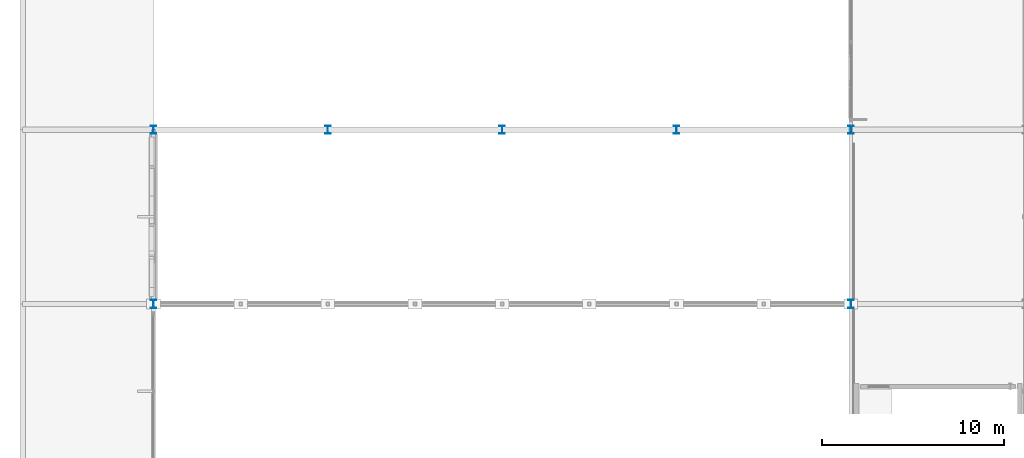
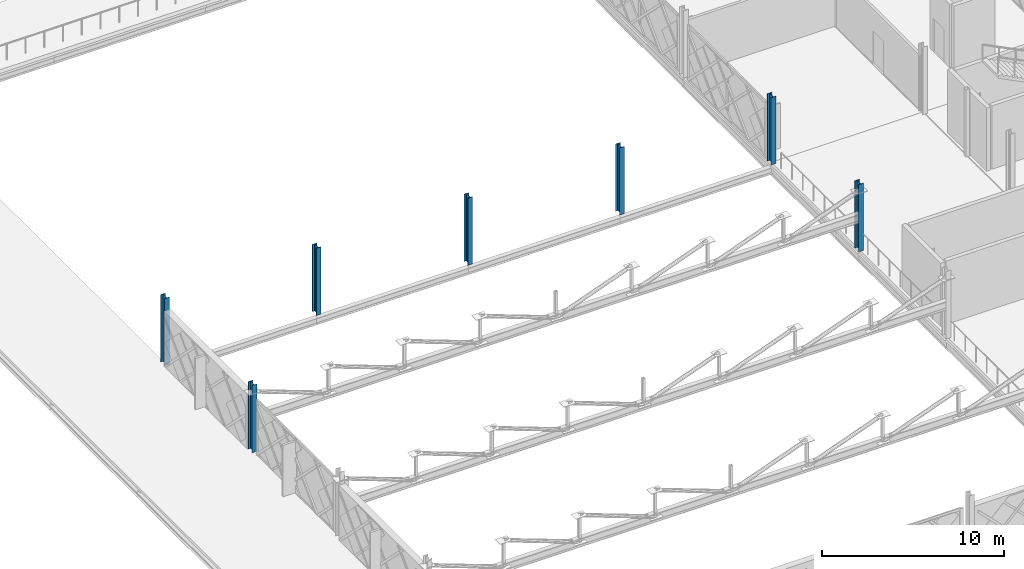
# One storey, part 3 of 101: 7 columns.
"""IFC4 building model written with IfcOpenShell, lengths in metres."""

from ifc_helpers import new_model, si_unit, direction, frame, origin, origin_2d, place, context, subcontext, project, spatial, i_section, extrude, material, material_profile, profile_set, type_object, element, save


model = new_model("IFC4")

# Units and contexts
model_context = context("Model", 3, precision=1e-05, world=origin(), true_north=direction((0.0, 1.0)))
body_context = subcontext(model_context, "Body", "Model", "MODEL_VIEW")
ifc_project = project(units=[si_unit("LENGTHUNIT", "METRE"), si_unit("AREAUNIT", "SQUARE_METRE"), si_unit("VOLUMEUNIT", "CUBIC_METRE"), si_unit("PLANEANGLEUNIT", "RADIAN"), si_unit("MASSUNIT", "GRAM", prefix="KILO")], contexts=[model_context])

# Site, building, storey
site_placement = place(None, origin())
site = spatial("IfcSite", under=ifc_project, at=site_placement, CompositionType="ELEMENT")
building_placement = place(site_placement, origin())
building = spatial("IfcBuilding", under=site, at=building_placement, Name="Zevrakil Square Congress Hotel", CompositionType="ELEMENT")
storey_placement = place(building_placement, frame((0.0, 0.0, 5.39990234375)))
storey = spatial("IfcBuildingStorey", under=building, at=storey_placement, Name="L02", CompositionType="ELEMENT", Elevation=5.39990234375)

# Columns
ifc_material = material(Name="Steel S355", Category="steel")
ifc_material_profile = material_profile(ifc_material, i_section(OverallWidth=0.300048828125, OverallDepth=0.449951171875, WebThickness=0.013916015625, FlangeThickness=0.02587890625, FilletRadius=0.027099609375, at=origin_2d()), Name="HEB 450")
ifc_profile_set = profile_set([ifc_material_profile], Name="Steel S355")
column_type = type_object("IfcColumnType", Name="COL-HEB450", PredefinedType="COLUMN", material=ifc_profile_set)
for number, where, z_axis, x_axis, name in (
    (1, (7.199951171875, 36.0, 0.0), (0.0, 0.0, 1.0), (1.0, 0.0, 0.0), "L02 column C-018"),
    (2, (7.199951171875, 45.60009765625, 0.0), (0.0, 0.0, 1.0), (1.0, 0.0, 0.0), "L02 column C-019"),
    (3, (16.800048828125, 45.60009765625, 0.0), (0.0, 0.0, 1.0), (1.0, 0.0, 0.0), "L02 column C-031"),
    (4, (26.39990234375, 45.60009765625, 0.0), (0.0, 0.0, 1.0), (1.0, 0.0, 0.0), "L02 column C-045"),
    (5, (36.0, 45.60009765625, 0.0), (0.0, 0.0, 1.0), (1.0, 0.0, 0.0), "L02 column C-058"),
    (6, (45.60009765625, 36.0, 0.0), (0.0, 0.0, 1.0), (1.0, 0.0, 0.0), "L02 column C-071"),
    (7, (45.60009765625, 45.60009765625, 0.0), (0.0, 0.0, 1.0), (1.0, 0.0, 0.0), "L02 column C-072"),
):
    element("IfcColumn", number, at=place(storey_placement, frame(where, z_axis=z_axis, x_axis=x_axis)), inside=storey, type_object=column_type, Name=name, PredefinedType="COLUMN", context=body_context, shape_type="SweptSolid", body=[
        extrude(i_section(OverallWidth=0.300048828125, OverallDepth=0.449951171875, WebThickness=0.013916015625, FlangeThickness=0.02587890625, FilletRadius=0.027099609375, at=origin_2d()), origin(), (0.0, 0.0, 1.0), 4.5),
    ])

save(model, "model.ifc")
